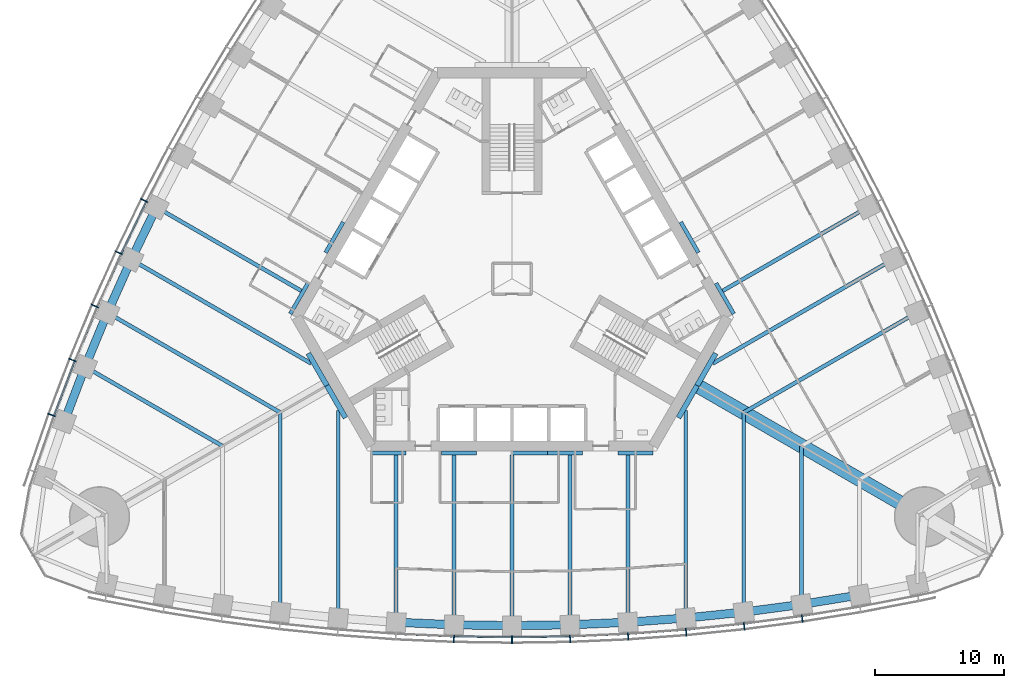
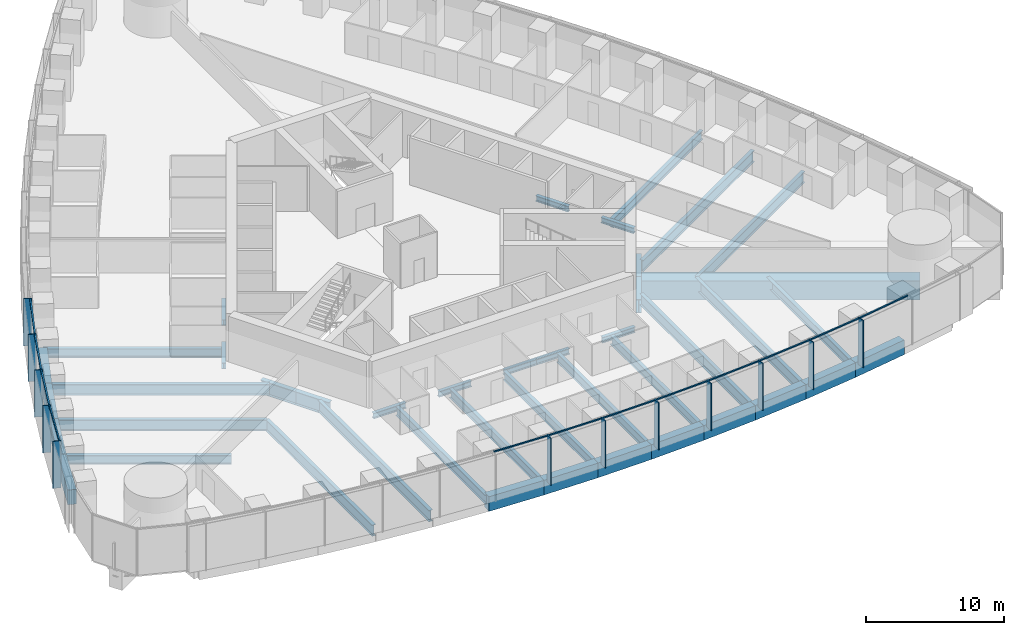
# One storey, part 3 of 18: 43 beams, 24 members, 2 elements without a shape of their own.
"""IFC4 building model written with IfcOpenShell, lengths in metres."""

from ifc_helpers import new_model, si_unit, direction, frame, origin, origin_2d, place, context, subcontext, project, spatial, rectangle, i_section, extrude, material, material_profile, profile_set, type_object, element, aggregate, save


model = new_model("IFC4")

# Units and contexts
model_context = context("Model", 3, precision=1e-05, world=origin(), true_north=direction((0.0, 1.0)))
body_context = subcontext(model_context, "Body", "Model", "MODEL_VIEW")
ifc_project = project(units=[si_unit("LENGTHUNIT", "METRE"), si_unit("AREAUNIT", "SQUARE_METRE"), si_unit("VOLUMEUNIT", "CUBIC_METRE"), si_unit("PLANEANGLEUNIT", "RADIAN"), si_unit("MASSUNIT", "GRAM", prefix="KILO")], contexts=[model_context])

# Site, building, storey
site_placement = place(None, origin())
site = spatial("IfcSite", under=ifc_project, at=site_placement, CompositionType="ELEMENT")
building_placement = place(site_placement, origin())
building = spatial("IfcBuilding", under=site, at=building_placement, Name="Trefoil Bronze Tower", CompositionType="ELEMENT")
storey_placement = place(building_placement, frame((0.0, 0.0, 41.699951171875)))
storey = spatial("IfcBuildingStorey", under=building, at=storey_placement, Name="L09", CompositionType="ELEMENT", Elevation=41.699951171875)

# Curtain wall, members
ifc_material_1 = material(Name="Tinted solar-control glass", Category="glass")
curtain_wall_type = type_object("IfcCurtainWallType", Name="Bronze office curtain wall", PredefinedType="USERDEFINED", material=ifc_material_1)
curtain_wall_1_placement = place(storey_placement, origin())
curtain_wall_1 = element("IfcCurtainWall", 1, at=curtain_wall_1_placement, inside=storey, type_object=curtain_wall_type, Name="CW-A L09 F1", ObjectType="CURTAIN WALL", PredefinedType="USERDEFINED")
ifc_material_2 = material(Name="Bronze-finish aluminium", Category="aluminium")
ifc_material_profile_1 = material_profile(ifc_material_2, rectangle(XDim=0.60009765625, YDim=0.080078125, at=origin_2d()), Name="CW-A mullion")
ifc_profile_set_1 = profile_set([ifc_material_profile_1], Name="Bronze-finish aluminium")
member_type_1 = type_object("IfcMemberType", Name="Bronze office curtain wall mullion", PredefinedType="MULLION", material=ifc_profile_set_1)
member_1_placement = place(storey_placement, frame((-4.5087890625, -27.9833984375, 0.0), z_axis=(0.0, 0.0, 1.0), x_axis=(0.029021671584, 0.999578782577, 0.0)))
member_1 = element("IfcMember", 2, at=member_1_placement, type_object=member_type_1, Name="CW-A L09 F1 mullion 8", PredefinedType="MULLION", context=body_context, shape_type="SweptSolid", body=[
    extrude(rectangle(XDim=0.60009765625, YDim=0.080078125, at=origin_2d()), origin(), (0.0, 0.0, 1.0), 4.179931640625),
])
member_2_placement = place(storey_placement, frame((0.0, -28.048828125, 0.0), z_axis=(0.0, 0.0, 1.0), x_axis=(0.0, 1.0, 0.0)))
member_2 = element("IfcMember", 3, at=member_2_placement, type_object=member_type_1, Name="CW-A L09 F1 mullion 9", PredefinedType="MULLION", context=body_context, shape_type="SweptSolid", body=[
    extrude(rectangle(XDim=0.60009765625, YDim=0.080078125, at=origin_2d()), origin(), (0.0, 0.0, 1.0), 4.179931640625),
])
member_3_placement = place(storey_placement, frame((4.5087890625, -27.9833984375, 0.0), z_axis=(0.0, 0.0, 1.0), x_axis=(-0.029021671584, 0.999578782577, 0.0)))
member_3 = element("IfcMember", 4, at=member_3_placement, type_object=member_type_1, Name="CW-A L09 F1 mullion 10", PredefinedType="MULLION", context=body_context, shape_type="SweptSolid", body=[
    extrude(rectangle(XDim=0.60009765625, YDim=0.080078125, at=origin_2d()), origin(), (0.0, 0.0, 1.0), 4.179931640625),
])
member_4_placement = place(storey_placement, frame((9.017333984375, -27.786865234375, 0.0), z_axis=(0.0, 0.0, 1.0), x_axis=(-0.058043374207, 0.998314062162, 0.0)))
member_4 = element("IfcMember", 5, at=member_4_placement, type_object=member_type_1, Name="CW-A L09 F1 mullion 11", PredefinedType="MULLION", context=body_context, shape_type="SweptSolid", body=[
    extrude(rectangle(XDim=0.60009765625, YDim=0.080078125, at=origin_2d()), origin(), (0.0, 0.0, 1.0), 4.179931640625),
])
member_5_placement = place(storey_placement, frame((13.526123046875, -27.458984375, 0.0), z_axis=(0.0, 0.0, 1.0), x_axis=(-0.087065139456, 0.996202620701, 0.0)))
member_5 = element("IfcMember", 6, at=member_5_placement, type_object=member_type_1, Name="CW-A L09 F1 mullion 12", PredefinedType="MULLION", context=body_context, shape_type="SweptSolid", body=[
    extrude(rectangle(XDim=0.60009765625, YDim=0.080078125, at=origin_2d()), origin(), (0.0, 0.0, 1.0), 4.179931640625),
])
member_6_placement = place(storey_placement, frame((18.034912109375, -26.99853515625, 0.0), z_axis=(0.0, 0.0, 1.0), x_axis=(-0.116086999973, 0.993239048989, 0.0)))
member_6 = element("IfcMember", 7, at=member_6_placement, type_object=member_type_1, Name="CW-A L09 F1 mullion 13", PredefinedType="MULLION", context=body_context, shape_type="SweptSolid", body=[
    extrude(rectangle(XDim=0.60009765625, YDim=0.080078125, at=origin_2d()), origin(), (0.0, 0.0, 1.0), 4.179931640625),
])
member_7_placement = place(storey_placement, frame((22.54345703125, -26.40478515625, 0.0), z_axis=(0.0, 0.0, 1.0), x_axis=(-0.145108990094, 0.989415676546, 0.0)))
member_7 = element("IfcMember", 8, at=member_7_placement, type_object=member_type_1, Name="CW-A L09 F1 mullion 14", PredefinedType="MULLION", context=body_context, shape_type="SweptSolid", body=[
    extrude(rectangle(XDim=0.60009765625, YDim=0.080078125, at=origin_2d()), origin(), (0.0, 0.0, 1.0), 4.179931640625),
])

curtain_wall_2_placement = place(storey_placement, origin())
curtain_wall_2 = element("IfcCurtainWall", 9, at=curtain_wall_2_placement, inside=storey, type_object=curtain_wall_type, Name="CW-A L09 F3", ObjectType="CURTAIN WALL", PredefinedType="USERDEFINED")
member_8_placement = place(storey_placement, frame((-28.57275390625, 6.084228515625, 0.0), z_axis=(0.0, 0.0, 1.0), x_axis=(0.893587025891, -0.448889994497, 0.0)))
member_8 = element("IfcMember", 10, at=member_8_placement, type_object=member_type_1, Name="CW-A L09 F3 mullion 11", PredefinedType="MULLION", context=body_context, shape_type="SweptSolid", body=[
    extrude(rectangle(XDim=0.60009765625, YDim=0.080078125, at=origin_2d()), origin(), (0.0, 0.0, 1.0), 4.179931640625),
])
member_9_placement = place(storey_placement, frame((-30.543212890625, 2.015380859375, 0.0), z_axis=(0.0, 0.0, 1.0), x_axis=(0.906269346572, -0.422700687798, 0.0)))
member_9 = element("IfcMember", 11, at=member_9_placement, type_object=member_type_1, Name="CW-A L09 F3 mullion 12", PredefinedType="MULLION", context=body_context, shape_type="SweptSolid", body=[
    extrude(rectangle(XDim=0.60009765625, YDim=0.080078125, at=origin_2d()), origin(), (0.0, 0.0, 1.0), 4.179931640625),
])
member_10_placement = place(storey_placement, frame((-32.39892578125, -2.119384765625, 0.0), z_axis=(0.0, 0.0, 1.0), x_axis=(0.918213748442, -0.396085233469, 0.0)))
member_10 = element("IfcMember", 12, at=member_10_placement, type_object=member_type_1, Name="CW-A L09 F3 mullion 13", PredefinedType="MULLION", context=body_context, shape_type="SweptSolid", body=[
    extrude(rectangle(XDim=0.60009765625, YDim=0.080078125, at=origin_2d()), origin(), (0.0, 0.0, 1.0), 4.179931640625),
])
member_11_placement = place(storey_placement, frame((-34.138916015625, -6.32080078125, 0.0), z_axis=(0.0, 0.0, 1.0), x_axis=(0.929413605838, -0.369039766534, 0.0)))
member_11 = element("IfcMember", 13, at=member_11_placement, type_object=member_type_1, Name="CW-A L09 F3 mullion 14", PredefinedType="MULLION", context=body_context, shape_type="SweptSolid", body=[
    extrude(rectangle(XDim=0.60009765625, YDim=0.080078125, at=origin_2d()), origin(), (0.0, 0.0, 1.0), 4.179931640625),
])
member_12_placement = place(storey_placement, frame((-35.761962890625, -10.590087890625, 0.0), z_axis=(0.0, 0.0, 1.0), x_axis=(0.939860248316, -0.341559238839, 0.0)))
member_12 = element("IfcMember", 14, at=member_12_placement, type_object=member_type_1, Name="CW-A L09 F3 mullion 15", PredefinedType="MULLION", context=body_context, shape_type="SweptSolid", body=[
    extrude(rectangle(XDim=0.60009765625, YDim=0.080078125, at=origin_2d()), origin(), (0.0, 0.0, 1.0), 4.179931640625),
])

# Member
ifc_material_3 = material(Name="Bronze-finish aluminium", Category="aluminium")
ifc_material_profile_2 = material_profile(ifc_material_3, rectangle(XDim=0.1201171875, YDim=0.10009765625, at=origin_2d()), Name="CW-A transom")
ifc_profile_set_2 = profile_set([ifc_material_profile_2], Name="Bronze-finish aluminium")
member_type_2 = type_object("IfcMemberType", Name="Bronze office curtain wall transom", PredefinedType="USERDEFINED", material=ifc_profile_set_2)
member_13_placement = place(storey_placement, frame((-8.96435546875, -27.589111328125, 4.130126953125), z_axis=(0.999054074786, -0.043485119914, 0.0), x_axis=(0.043485119914, 0.999054074786, 0.0)))
member_13 = element("IfcMember", 15, at=member_13_placement, type_object=member_type_2, Name="CW-A L09 F1 transom 7", ObjectType="TRANSOM", PredefinedType="USERDEFINED", context=body_context, shape_type="SweptSolid", body=[
    extrude(rectangle(XDim=0.1201171875, YDim=0.10009765625, at=origin_2d()), origin(), (0.0, 0.0, 1.0), 4.424072265625),
])

member_14_placement = place(storey_placement, frame((-4.46142578125, -27.783935546875, 4.130126953125), z_axis=(0.999894497273, -0.014525643658, 0.0), x_axis=(0.014525643658, 0.999894497273, 0.0)))
member_14 = element("IfcMember", 16, at=member_14_placement, type_object=member_type_2, Name="CW-A L09 F1 transom 8", ObjectType="TRANSOM", PredefinedType="USERDEFINED", context=body_context, shape_type="SweptSolid", body=[
    extrude(rectangle(XDim=0.1201171875, YDim=0.10009765625, at=origin_2d()), origin(), (0.0, 0.0, 1.0), 4.42041015625),
])

member_15_placement = place(storey_placement, frame((0.04150390625, -27.84814453125, 4.130126953125), z_axis=(0.999894497273, 0.014525643658, 0.0), x_axis=(-0.014525643658, 0.999894497273, 0.0)))
member_15 = element("IfcMember", 17, at=member_15_placement, type_object=member_type_2, Name="CW-A L09 F1 transom 9", ObjectType="TRANSOM", PredefinedType="USERDEFINED", context=body_context, shape_type="SweptSolid", body=[
    extrude(rectangle(XDim=0.1201171875, YDim=0.10009765625, at=origin_2d()), origin(), (0.0, 0.0, 1.0), 4.42041015625),
])

member_16_placement = place(storey_placement, frame((4.54443359375, -27.781494140625, 4.130126953125), z_axis=(0.999054074786, 0.043485119914, 0.0), x_axis=(-0.043485119914, 0.999054074786, 0.0)))
member_16 = element("IfcMember", 18, at=member_16_placement, type_object=member_type_2, Name="CW-A L09 F1 transom 10", ObjectType="TRANSOM", PredefinedType="USERDEFINED", context=body_context, shape_type="SweptSolid", body=[
    extrude(rectangle(XDim=0.1201171875, YDim=0.10009765625, at=origin_2d()), origin(), (0.0, 0.0, 1.0), 4.424072265625),
])

member_17_placement = place(storey_placement, frame((9.047119140625, -27.584228515625, 4.130126953125), z_axis=(0.997364729945, 0.07255064067, 0.0), x_axis=(-0.07255064067, 0.997364729945, 0.0)))
member_17 = element("IfcMember", 19, at=member_17_placement, type_object=member_type_2, Name="CW-A L09 F1 transom 11", ObjectType="TRANSOM", PredefinedType="USERDEFINED", context=body_context, shape_type="SweptSolid", body=[
    extrude(rectangle(XDim=0.1201171875, YDim=0.10009765625, at=origin_2d()), origin(), (0.0, 0.0, 1.0), 4.431884765625),
])

member_18_placement = place(storey_placement, frame((13.550048828125, -27.25537109375, 4.130126953125), z_axis=(0.994831650915, 0.101538102888, 0.0), x_axis=(-0.101538102888, 0.994831650915, 0.0)))
member_18 = element("IfcMember", 20, at=member_18_placement, type_object=member_type_2, Name="CW-A L09 F1 transom 12", ObjectType="TRANSOM", PredefinedType="USERDEFINED", context=body_context, shape_type="SweptSolid", body=[
    extrude(rectangle(XDim=0.1201171875, YDim=0.10009765625, at=origin_2d()), origin(), (0.0, 0.0, 1.0), 4.443359375),
])

member_19_placement = place(storey_placement, frame((18.052734375, -26.79443359375, 4.130126953125), z_axis=(0.991436581643, 0.13058906761, 0.0), x_axis=(-0.13058906761, 0.991436581643, 0.0)))
member_19 = element("IfcMember", 21, at=member_19_placement, type_object=member_type_2, Name="CW-A L09 F1 transom 13", ObjectType="TRANSOM", PredefinedType="USERDEFINED", context=body_context, shape_type="SweptSolid", body=[
    extrude(rectangle(XDim=0.1201171875, YDim=0.10009765625, at=origin_2d()), origin(), (0.0, 0.0, 1.0), 4.458740234375),
])

member_20_placement = place(storey_placement, frame((22.555419921875, -26.2001953125, 4.130126953125), z_axis=(0.987179401487, 0.159614627398, 0.0), x_axis=(-0.159614627398, 0.987179401487, 0.0)))
member_20 = element("IfcMember", 22, at=member_20_placement, type_object=member_type_2, Name="CW-A L09 F1 transom 14", ObjectType="TRANSOM", PredefinedType="USERDEFINED", context=body_context, shape_type="SweptSolid", body=[
    extrude(rectangle(XDim=0.1201171875, YDim=0.10009765625, at=origin_2d()), origin(), (0.0, 0.0, 1.0), 4.478515625),
])

aggregate(curtain_wall_1, [member_1, member_2, member_3, member_4, member_5, member_6, member_7, member_13, member_14, member_15, member_16, member_17, member_18, member_19, member_20])

member_21_placement = place(storey_placement, frame((-28.412109375, 5.95703125, 4.130126953125), z_axis=(-0.435851763293, -0.900018466719, 0.0), x_axis=(0.900018466719, -0.435851763293, 0.0)))
member_21 = element("IfcMember", 23, at=member_21_placement, type_object=member_type_2, Name="CW-A L09 F3 transom 11", ObjectType="TRANSOM", PredefinedType="USERDEFINED", context=body_context, shape_type="SweptSolid", body=[
    extrude(rectangle(XDim=0.1201171875, YDim=0.10009765625, at=origin_2d()), origin(), (0.0, 0.0, 1.0), 4.431884765625),
])

member_22_placement = place(storey_placement, frame((-30.37890625, 1.89306640625, 4.130126953125), z_axis=(-0.409459746452, -0.912328184392, 0.0), x_axis=(0.912328184392, -0.409459746452, 0.0)))
member_22 = element("IfcMember", 24, at=member_22_placement, type_object=member_type_2, Name="CW-A L09 F3 transom 12", ObjectType="TRANSOM", PredefinedType="USERDEFINED", context=body_context, shape_type="SweptSolid", body=[
    extrude(rectangle(XDim=0.1201171875, YDim=0.10009765625, at=origin_2d()), origin(), (0.0, 0.0, 1.0), 4.443359375),
])

member_23_placement = place(storey_placement, frame((-32.231201171875, -2.23681640625, 4.130126953125), z_axis=(-0.382616149417, -0.923907399151, 0.0), x_axis=(0.923907399151, -0.382616149417, 0.0)))
member_23 = element("IfcMember", 25, at=member_23_placement, type_object=member_type_2, Name="CW-A L09 F3 transom 13", ObjectType="TRANSOM", PredefinedType="USERDEFINED", context=body_context, shape_type="SweptSolid", body=[
    extrude(rectangle(XDim=0.1201171875, YDim=0.10009765625, at=origin_2d()), origin(), (0.0, 0.0, 1.0), 4.458984375),
])

member_24_placement = place(storey_placement, frame((-33.9677734375, -6.433349609375, 4.130126953125), z_axis=(-0.355367327392, -0.934726731522, 0.0), x_axis=(0.934726731522, -0.355367327392, 0.0)))
member_24 = element("IfcMember", 26, at=member_24_placement, type_object=member_type_2, Name="CW-A L09 F3 transom 14", ObjectType="TRANSOM", PredefinedType="USERDEFINED", context=body_context, shape_type="SweptSolid", body=[
    extrude(rectangle(XDim=0.1201171875, YDim=0.10009765625, at=origin_2d()), origin(), (0.0, 0.0, 1.0), 4.478515625),
])

aggregate(curtain_wall_2, [member_8, member_9, member_10, member_11, member_12, member_21, member_22, member_23, member_24])

# Beams
ifc_material_4 = material(Name="Steel C355", Category="steel")
ifc_material_profile_3 = material_profile(ifc_material_4, i_section(OverallWidth=0.300048828125, OverallDepth=0.5, WebThickness=0.014404296875, FlangeThickness=0.028076171875, FilletRadius=0.027099609375, at=origin_2d()), Name="HEB 500")
ifc_profile_set_3 = profile_set([ifc_material_profile_3], Name="Steel C355")
beam_type_1 = type_object("IfcBeamType", Name="Core seat beam HEB 500", PredefinedType="BEAM", material=ifc_profile_set_3)
for number, where, z_axis, x_axis, name in (
    (27, (-10.9697265625, -13.550048828125, -0.449951171875), (1.0, 0.0, 0.0), (0.0, 1.0, 0.0), "Core seat beam F1/-2 L09"),
    (28, (-5.48486328125, -13.550048828125, -0.449951171875), (1.0, 0.0, 0.0), (0.0, 1.0, 0.0), "Core seat beam F1/-1 L09"),
    (29, (0.0, -13.550048828125, -0.449951171875), (1.0, 0.0, 0.0), (0.0, 1.0, 0.0), "Core seat beam F1/+0 L09"),
    (30, (2.742431640625, -13.550048828125, -0.449951171875), (1.0, 0.0, 0.0), (0.0, 1.0, 0.0), "Core seat beam F1/+1 L09"),
    (31, (8.227294921875, -13.550048828125, -0.449951171875), (1.0, 0.0, 0.0), (0.0, 1.0, 0.0), "Core seat beam F1/+2 L09"),
    (32, (17.219482421875, -2.72509765625, -0.449951171875), (-0.500035825175, 0.866004719122, 0.0), (-0.866004719122, -0.500035825175, 0.0), "Core seat beam F2/-2 L09"),
    (33, (14.47705078125, 2.02490234375, -0.449951171875), (-0.499969057507, 0.866043267704, 0.0), (-0.866043267704, -0.499969057507, 0.0), "Core seat beam F2/-1 L09"),
    (34, (-13.10595703125, 4.39990234375, -0.449951171875), (-0.499969057507, -0.866043267704, 0.0), (0.866043267704, -0.499969057507, 0.0), "Core seat beam F3/+1 L09"),
    (35, (-15.84814453125, -0.35009765625, -0.449951171875), (-0.500035825175, -0.866004719122, 0.0), (0.866004719122, -0.500035825175, 0.0), "Core seat beam F3/+2 L09"),
):
    element("IfcBeam", number, at=place(storey_placement, frame(where, z_axis=z_axis, x_axis=x_axis)), inside=storey, type_object=beam_type_1, Name=name, PredefinedType="BEAM", context=body_context, shape_type="SweptSolid", body=[
        extrude(i_section(OverallWidth=0.300048828125, OverallDepth=0.5, WebThickness=0.014404296875, FlangeThickness=0.028076171875, FilletRadius=0.027099609375, at=origin_2d()), origin(), (0.0, 0.0, 1.0), 2.742431640625),
    ])
ifc_material_5 = material(Name="Steel C355", Category="steel")
ifc_material_profile_4 = material_profile(ifc_material_5, i_section(OverallWidth=0.39990234375, OverallDepth=1.199951171875, WebThickness=0.02001953125, FlangeThickness=0.0400390625, FilletRadius=0.010009765625, at=origin_2d()), Name="WPG 1200")
ifc_profile_set_4 = profile_set([ifc_material_profile_4], Name="Steel C355")
beam_type_2 = type_object("IfcBeamType", Name="Core seat beam WPG 1200", PredefinedType="BEAM", material=ifc_profile_set_4)
for number, where, z_axis, x_axis, name in (
    (36, (-14.3759765625, -8.300048828125, -0.800048828125), (0.499995765644, -0.866027848477, 0.0), (0.866027848477, 0.499995765644, 0.0), "Core seat beam F1/-3 L09"),
    (37, (12.9326171875, -10.800048828125, -0.800048828125), (0.499995765644, 0.866027848477, 0.0), (-0.866027848477, 0.499995765644, 0.0), "Core seat beam F1/+3 L09"),
    (38, (14.3759765625, -8.300048828125, -0.800048828125), (0.499995765644, 0.866027848477, 0.0), (-0.866027848477, 0.499995765644, 0.0), "Core seat beam F2/-3 L09"),
    (39, (-15.8193359375, -5.800048828125, -0.800048828125), (0.499995765644, -0.866027848477, 0.0), (0.866027848477, 0.499995765644, 0.0), "Core seat beam F3/+3 L09"),
):
    element("IfcBeam", number, at=place(storey_placement, frame(where, z_axis=z_axis, x_axis=x_axis)), inside=storey, type_object=beam_type_2, Name=name, PredefinedType="BEAM", context=body_context, shape_type="SweptSolid", body=[
        extrude(i_section(OverallWidth=0.39990234375, OverallDepth=1.199951171875, WebThickness=0.02001953125, FlangeThickness=0.0400390625, FilletRadius=0.010009765625, at=origin_2d()), origin(), (0.0, 0.0, 1.0), 2.88671875),
    ])
ifc_material_6 = material(Name="Concrete B80", Category="concrete")
ifc_material_profile_5 = material_profile(ifc_material_6, rectangle(XDim=1.10009765625, YDim=1.699951171875, at=origin_2d()), Name="RC 1100x1700")
ifc_profile_set_5 = profile_set([ifc_material_profile_5], Name="Concrete B80")
beam_type_3 = type_object("IfcBeamType", Name="Corner girder RC 1100x1700", PredefinedType="BEAM", material=ifc_profile_set_5)
beam_1_placement = place(storey_placement, frame((14.202880859375, -8.199951171875, -1.050048828125), z_axis=(0.866023947468, -0.500002522405, 0.0), x_axis=(0.500002522405, 0.866023947468, 0.0)))
element("IfcBeam", 40, at=beam_1_placement, inside=storey, type_object=beam_type_3, Name="Corner girder K1 L09", PredefinedType="BEAM", context=body_context, shape_type="SweptSolid", body=[
    extrude(rectangle(XDim=1.10009765625, YDim=1.699951171875, at=origin_2d()), origin(), (0.0, 0.0, 1.0), 20.60009765625),
])
ifc_material_7 = material(Name="Steel C355", Category="steel")
ifc_material_profile_6 = material_profile(ifc_material_7, i_section(OverallWidth=0.300048828125, OverallDepth=1.0, WebThickness=0.01904296875, FlangeThickness=0.035888671875, FilletRadius=0.030029296875, at=origin_2d()), Name="HEB 1000")
ifc_profile_set_6 = profile_set([ifc_material_profile_6], Name="Steel C355")
beam_type_4 = type_object("IfcBeamType", Name="Floor beam HEB 1000", PredefinedType="BEAM", material=ifc_profile_set_6)
for number, where, z_axis, x_axis, name in (
    (41, (-18.0, -25.895263671875, -0.699951171875), (0.0, 1.0, 0.0), (-1.0, 0.0, 0.0), "Floor beam F1/-4 L09"),
    (42, (18.0, -25.895263671875, -0.699951171875), (0.0, 1.0, 0.0), (-1.0, 0.0, 0.0), "Floor beam F1/+4 L09"),
):
    element("IfcBeam", number, at=place(storey_placement, frame(where, z_axis=z_axis, x_axis=x_axis)), inside=storey, type_object=beam_type_4, Name=name, PredefinedType="BEAM", context=body_context, shape_type="SweptSolid", body=[
        extrude(i_section(OverallWidth=0.300048828125, OverallDepth=1.0, WebThickness=0.01904296875, FlangeThickness=0.035888671875, FilletRadius=0.030029296875, at=origin_2d()), origin(), (0.0, 0.0, 1.0), 15.5029296875),
    ])
for number, where, z_axis, x_axis, name in (
    (43, (31.42578125, -2.640869140625, -0.699951171875), (-0.866022989816, -0.500004181093, 0.0), (0.500004181093, -0.866022989816, 0.0), "Floor beam F2/-4 L09"),
    (44, (-31.42578125, -2.640869140625, -0.699951171875), (0.866022989816, -0.500004181093, 0.0), (0.500004181093, 0.866022989816, 0.0), "Floor beam F3/+4 L09"),
):
    element("IfcBeam", number, at=place(storey_placement, frame(where, z_axis=z_axis, x_axis=x_axis)), inside=storey, type_object=beam_type_4, Name=name, PredefinedType="BEAM", context=body_context, shape_type="SweptSolid", body=[
        extrude(i_section(OverallWidth=0.300048828125, OverallDepth=1.0, WebThickness=0.01904296875, FlangeThickness=0.035888671875, FilletRadius=0.030029296875, at=origin_2d()), origin(), (0.0, 0.0, 1.0), 15.502685546875),
    ])
ifc_material_8 = material(Name="Steel C355", Category="steel")
ifc_material_profile_7 = material_profile(ifc_material_8, i_section(OverallWidth=0.300048828125, OverallDepth=0.800048828125, WebThickness=0.017578125, FlangeThickness=0.032958984375, FilletRadius=0.030029296875, at=origin_2d()), Name="HEB 800")
ifc_profile_set_7 = profile_set([ifc_material_profile_7], Name="Steel C355")
beam_type_5 = type_object("IfcBeamType", Name="Floor beam HEB 800", PredefinedType="BEAM", material=ifc_profile_set_7)
beam_2_placement = place(storey_placement, frame((-9.0, -26.68603515625, -0.599853515625), z_axis=(0.0, 1.0, 0.0), x_axis=(-1.0, 0.0, 0.0)))
element("IfcBeam", 45, at=beam_2_placement, inside=storey, type_object=beam_type_5, Name="Floor beam F1/-2 L09", PredefinedType="BEAM", context=body_context, shape_type="SweptSolid", body=[
    extrude(i_section(OverallWidth=0.300048828125, OverallDepth=0.800048828125, WebThickness=0.017578125, FlangeThickness=0.032958984375, FilletRadius=0.030029296875, at=origin_2d()), origin(), (0.0, 0.0, 1.0), 12.986083984375),
])
beam_3_placement = place(storey_placement, frame((-4.5, -26.883056640625, -0.599853515625), z_axis=(0.0, 1.0, 0.0), x_axis=(-1.0, 0.0, 0.0)))
element("IfcBeam", 46, at=beam_3_placement, inside=storey, type_object=beam_type_5, Name="Floor beam F1/-1 L09", PredefinedType="BEAM", context=body_context, shape_type="SweptSolid", body=[
    extrude(i_section(OverallWidth=0.300048828125, OverallDepth=0.800048828125, WebThickness=0.017578125, FlangeThickness=0.032958984375, FilletRadius=0.030029296875, at=origin_2d()), origin(), (0.0, 0.0, 1.0), 13.18310546875),
])
beam_4_placement = place(storey_placement, frame((0.0, -26.94873046875, -0.599853515625), z_axis=(0.0, 1.0, 0.0), x_axis=(-1.0, 0.0, 0.0)))
element("IfcBeam", 47, at=beam_4_placement, inside=storey, type_object=beam_type_5, Name="Floor beam F1/+0 L09", PredefinedType="BEAM", context=body_context, shape_type="SweptSolid", body=[
    extrude(i_section(OverallWidth=0.300048828125, OverallDepth=0.800048828125, WebThickness=0.017578125, FlangeThickness=0.032958984375, FilletRadius=0.030029296875, at=origin_2d()), origin(), (0.0, 0.0, 1.0), 13.248779296875),
])
beam_5_placement = place(storey_placement, frame((4.5, -26.883056640625, -0.599853515625), z_axis=(0.0, 1.0, 0.0), x_axis=(-1.0, 0.0, 0.0)))
element("IfcBeam", 48, at=beam_5_placement, inside=storey, type_object=beam_type_5, Name="Floor beam F1/+1 L09", PredefinedType="BEAM", context=body_context, shape_type="SweptSolid", body=[
    extrude(i_section(OverallWidth=0.300048828125, OverallDepth=0.800048828125, WebThickness=0.017578125, FlangeThickness=0.032958984375, FilletRadius=0.030029296875, at=origin_2d()), origin(), (0.0, 0.0, 1.0), 13.18310546875),
])
beam_6_placement = place(storey_placement, frame((9.0, -26.68603515625, -0.599853515625), z_axis=(0.0, 1.0, 0.0), x_axis=(-1.0, 0.0, 0.0)))
element("IfcBeam", 49, at=beam_6_placement, inside=storey, type_object=beam_type_5, Name="Floor beam F1/+2 L09", PredefinedType="BEAM", context=body_context, shape_type="SweptSolid", body=[
    extrude(i_section(OverallWidth=0.300048828125, OverallDepth=0.800048828125, WebThickness=0.017578125, FlangeThickness=0.032958984375, FilletRadius=0.030029296875, at=origin_2d()), origin(), (0.0, 0.0, 1.0), 12.986083984375),
])
beam_7_placement = place(storey_placement, frame((22.5, -25.29931640625, -0.599853515625), z_axis=(0.0, 1.0, 0.0), x_axis=(-1.0, 0.0, 0.0)))
element("IfcBeam", 50, at=beam_7_placement, inside=storey, type_object=beam_type_5, Name="Floor beam F1/+5 L09", PredefinedType="BEAM", context=body_context, shape_type="SweptSolid", body=[
    extrude(i_section(OverallWidth=0.300048828125, OverallDepth=0.800048828125, WebThickness=0.017578125, FlangeThickness=0.032958984375, FilletRadius=0.030029296875, at=origin_2d()), origin(), (0.0, 0.0, 1.0), 12.308837890625),
])
for number, where, z_axis, x_axis, name in (
    (51, (27.61083984375, 5.548828125, -0.599853515625), (-0.866022474361, -0.500005073876, 0.0), (0.500005073876, -0.866022474361, 0.0), "Floor beam F2/-2 L09"),
    (52, (-27.61083984375, 5.548828125, -0.599853515625), (0.866022474361, -0.500005073876, 0.0), (0.500005073876, 0.866022474361, 0.0), "Floor beam F3/+2 L09"),
):
    element("IfcBeam", number, at=place(storey_placement, frame(where, z_axis=z_axis, x_axis=x_axis)), inside=storey, type_object=beam_type_5, Name=name, PredefinedType="BEAM", context=body_context, shape_type="SweptSolid", body=[
        extrude(i_section(OverallWidth=0.300048828125, OverallDepth=0.800048828125, WebThickness=0.017578125, FlangeThickness=0.032958984375, FilletRadius=0.030029296875, at=origin_2d()), origin(), (0.0, 0.0, 1.0), 12.986083984375),
    ])
beam_8_placement = place(storey_placement, frame((-33.159912109375, -6.8359375, -0.599853515625), z_axis=(0.866024070878, -0.500002308654, 0.0), x_axis=(0.500002308654, 0.866024070878, 0.0)))
element("IfcBeam", 53, at=beam_8_placement, inside=storey, type_object=beam_type_5, Name="Floor beam F3/+5 L09", PredefinedType="BEAM", context=body_context, shape_type="SweptSolid", body=[
    extrude(i_section(OverallWidth=0.300048828125, OverallDepth=0.800048828125, WebThickness=0.017578125, FlangeThickness=0.032958984375, FilletRadius=0.030029296875, at=origin_2d()), origin(), (0.0, 0.0, 1.0), 12.30908203125),
])
ifc_material_9 = material(Name="Steel C355", Category="steel")
ifc_material_profile_8 = material_profile(ifc_material_9, i_section(OverallWidth=0.302001953125, OverallDepth=1.008056640625, WebThickness=0.02099609375, FlangeThickness=0.0400390625, FilletRadius=0.030029296875, at=origin_2d()), Name="HEM 1000")
ifc_profile_set_8 = profile_set([ifc_material_profile_8], Name="Steel C355")
beam_type_6 = type_object("IfcBeamType", Name="Floor beam HEM 1000", PredefinedType="BEAM", material=ifc_profile_set_8)
for number, where, z_axis, x_axis, name in (
    (54, (-13.5, -26.35693359375, -0.703857421875), (0.0, 1.0, 0.0), (-1.0, 0.0, 0.0), "Floor beam F1/-3 L09"),
    (55, (13.5, -26.35693359375, -0.703857421875), (0.0, 1.0, 0.0), (-1.0, 0.0, 0.0), "Floor beam F1/+3 L09"),
):
    element("IfcBeam", number, at=place(storey_placement, frame(where, z_axis=z_axis, x_axis=x_axis)), inside=storey, type_object=beam_type_6, Name=name, PredefinedType="BEAM", context=body_context, shape_type="SweptSolid", body=[
        extrude(i_section(OverallWidth=0.302001953125, OverallDepth=1.008056640625, WebThickness=0.02099609375, FlangeThickness=0.0400390625, FilletRadius=0.030029296875, at=origin_2d()), origin(), (0.0, 0.0, 1.0), 16.1396484375),
    ])
for number, where, z_axis, x_axis, name in (
    (56, (29.575927734375, 1.487060546875, -0.703857421875), (-0.866028401131, -0.499994808408, 0.0), (0.499994808408, -0.866028401131, 0.0), "Floor beam F2/-3 L09"),
    (57, (-29.575927734375, 1.487060546875, -0.703857421875), (0.866028401131, -0.499994808408, 0.0), (0.499994808408, 0.866028401131, 0.0), "Floor beam F3/+3 L09"),
):
    element("IfcBeam", number, at=place(storey_placement, frame(where, z_axis=z_axis, x_axis=x_axis)), inside=storey, type_object=beam_type_6, Name=name, PredefinedType="BEAM", context=body_context, shape_type="SweptSolid", body=[
        extrude(i_section(OverallWidth=0.302001953125, OverallDepth=1.008056640625, WebThickness=0.02099609375, FlangeThickness=0.0400390625, FilletRadius=0.030029296875, at=origin_2d()), origin(), (0.0, 0.0, 1.0), 16.139892578125),
    ])
ifc_material_10 = material(Name="Concrete B80", Category="concrete")
ifc_material_profile_9 = material_profile(ifc_material_10, rectangle(XDim=0.64990234375, YDim=1.300048828125, at=origin_2d()), Name="RC 650x1300")
ifc_profile_set_9 = profile_set([ifc_material_profile_9], Name="Concrete B80")
beam_type_7 = type_object("IfcBeamType", Name="Spandrel beam RC 650x1300", PredefinedType="SPANDREL", material=ifc_profile_set_9)
beam_9_placement = place(storey_placement, frame((-9.0, -26.68603515625, -0.849853515625), z_axis=(0.999042919826, -0.043740648671, 0.0), x_axis=(0.043740648671, 0.999042919826, 0.0)))
element("IfcBeam", 58, at=beam_9_placement, inside=storey, type_object=beam_type_7, Name="Spandrel F1.7 L09", PredefinedType="SPANDREL", context=body_context, shape_type="SweptSolid", body=[
    extrude(rectangle(XDim=0.64990234375, YDim=1.300048828125, at=origin_2d()), origin(), (0.0, 0.0, 1.0), 4.50439453125),
])
for number, where, z_axis, x_axis, name in (
    (59, (-4.5, -26.883056640625, -0.849853515625), (0.999893521905, -0.014592630067, 0.0), (0.014592630067, 0.999893521905, 0.0), "Spandrel F1.8 L09"),
    (60, (0.0, -26.94873046875, -0.849853515625), (0.999893521905, 0.014592630067, 0.0), (-0.014592630067, 0.999893521905, 0.0), "Spandrel F1.9 L09"),
):
    element("IfcBeam", number, at=place(storey_placement, frame(where, z_axis=z_axis, x_axis=x_axis)), inside=storey, type_object=beam_type_7, Name=name, PredefinedType="SPANDREL", context=body_context, shape_type="SweptSolid", body=[
        extrude(rectangle(XDim=0.64990234375, YDim=1.300048828125, at=origin_2d()), origin(), (0.0, 0.0, 1.0), 4.50048828125),
    ])
beam_10_placement = place(storey_placement, frame((4.5, -26.883056640625, -0.849853515625), z_axis=(0.999042919826, 0.043740648671, 0.0), x_axis=(-0.043740648671, 0.999042919826, 0.0)))
element("IfcBeam", 61, at=beam_10_placement, inside=storey, type_object=beam_type_7, Name="Spandrel F1.10 L09", PredefinedType="SPANDREL", context=body_context, shape_type="SweptSolid", body=[
    extrude(rectangle(XDim=0.64990234375, YDim=1.300048828125, at=origin_2d()), origin(), (0.0, 0.0, 1.0), 4.50439453125),
])
beam_11_placement = place(storey_placement, frame((9.0, -26.68603515625, -0.849853515625), z_axis=(0.997336412354, 0.072938882588, 0.0), x_axis=(-0.072938882588, 0.997336412354, 0.0)))
element("IfcBeam", 62, at=beam_11_placement, inside=storey, type_object=beam_type_7, Name="Spandrel F1.11 L09", PredefinedType="SPANDREL", context=body_context, shape_type="SweptSolid", body=[
    extrude(rectangle(XDim=0.64990234375, YDim=1.300048828125, at=origin_2d()), origin(), (0.0, 0.0, 1.0), 4.511962890625),
])
beam_12_placement = place(storey_placement, frame((13.5, -26.35693359375, -0.849853515625), z_axis=(0.994778488621, 0.102057623805, 0.0), x_axis=(-0.102057623805, 0.994778488621, 0.0)))
element("IfcBeam", 63, at=beam_12_placement, inside=storey, type_object=beam_type_7, Name="Spandrel F1.12 L09", PredefinedType="SPANDREL", context=body_context, shape_type="SweptSolid", body=[
    extrude(rectangle(XDim=0.64990234375, YDim=1.300048828125, at=origin_2d()), origin(), (0.0, 0.0, 1.0), 4.523681640625),
])
beam_13_placement = place(storey_placement, frame((18.0, -25.895263671875, -0.849853515625), z_axis=(0.991344474846, 0.131286450906, 0.0), x_axis=(-0.131286450906, 0.991344474846, 0.0)))
element("IfcBeam", 64, at=beam_13_placement, inside=storey, type_object=beam_type_7, Name="Spandrel F1.13 L09", PredefinedType="SPANDREL", context=body_context, shape_type="SweptSolid", body=[
    extrude(rectangle(XDim=0.64990234375, YDim=1.300048828125, at=origin_2d()), origin(), (0.0, 0.0, 1.0), 4.539306640625),
])
beam_14_placement = place(storey_placement, frame((22.5, -25.29931640625, -0.849853515625), z_axis=(0.987045951254, 0.160437807615, 0.0), x_axis=(-0.160437807615, 0.987045951254, 0.0)))
element("IfcBeam", 65, at=beam_14_placement, inside=storey, type_object=beam_type_7, Name="Spandrel F1.14 L09", PredefinedType="SPANDREL", context=body_context, shape_type="SweptSolid", body=[
    extrude(rectangle(XDim=0.64990234375, YDim=1.300048828125, at=origin_2d()), origin(), (0.0, 0.0, 1.0), 4.55908203125),
])
beam_15_placement = place(storey_placement, frame((-27.61083984375, 5.548828125, -0.849853515625), z_axis=(-0.435510013583, -0.900183885697, 0.0), x_axis=(0.900183885697, -0.435510013583, 0.0)))
element("IfcBeam", 66, at=beam_15_placement, inside=storey, type_object=beam_type_7, Name="Spandrel F3.11 L09", PredefinedType="SPANDREL", context=body_context, shape_type="SweptSolid", body=[
    extrude(rectangle(XDim=0.64990234375, YDim=1.300048828125, at=origin_2d()), origin(), (0.0, 0.0, 1.0), 4.51220703125),
])
beam_16_placement = place(storey_placement, frame((-29.575927734375, 1.487060546875, -0.849853515625), z_axis=(-0.408945873044, -0.912558640812, 0.0), x_axis=(0.912558640812, -0.408945873044, 0.0)))
element("IfcBeam", 67, at=beam_16_placement, inside=storey, type_object=beam_type_7, Name="Spandrel F3.12 L09", PredefinedType="SPANDREL", context=body_context, shape_type="SweptSolid", body=[
    extrude(rectangle(XDim=0.64990234375, YDim=1.300048828125, at=origin_2d()), origin(), (0.0, 0.0, 1.0), 4.5234375),
])
beam_17_placement = place(storey_placement, frame((-31.42578125, -2.640869140625, -0.849853515625), z_axis=(-0.382020825144, -0.924153715113, 0.0), x_axis=(0.924153715113, -0.382020825144, 0.0)))
element("IfcBeam", 68, at=beam_17_placement, inside=storey, type_object=beam_type_7, Name="Spandrel F3.13 L09", PredefinedType="SPANDREL", context=body_context, shape_type="SweptSolid", body=[
    extrude(rectangle(XDim=0.64990234375, YDim=1.300048828125, at=origin_2d()), origin(), (0.0, 0.0, 1.0), 4.539306640625),
])
beam_18_placement = place(storey_placement, frame((-33.159912109375, -6.8359375, -0.849853515625), z_axis=(-0.354571899767, -0.935028752443, 0.0), x_axis=(0.935028752443, -0.354571899767, 0.0)))
element("IfcBeam", 69, at=beam_18_placement, inside=storey, type_object=beam_type_7, Name="Spandrel F3.14 L09", PredefinedType="SPANDREL", context=body_context, shape_type="SweptSolid", body=[
    extrude(rectangle(XDim=0.64990234375, YDim=1.300048828125, at=origin_2d()), origin(), (0.0, 0.0, 1.0), 4.558837890625),
])

save(model, "model.ifc")
